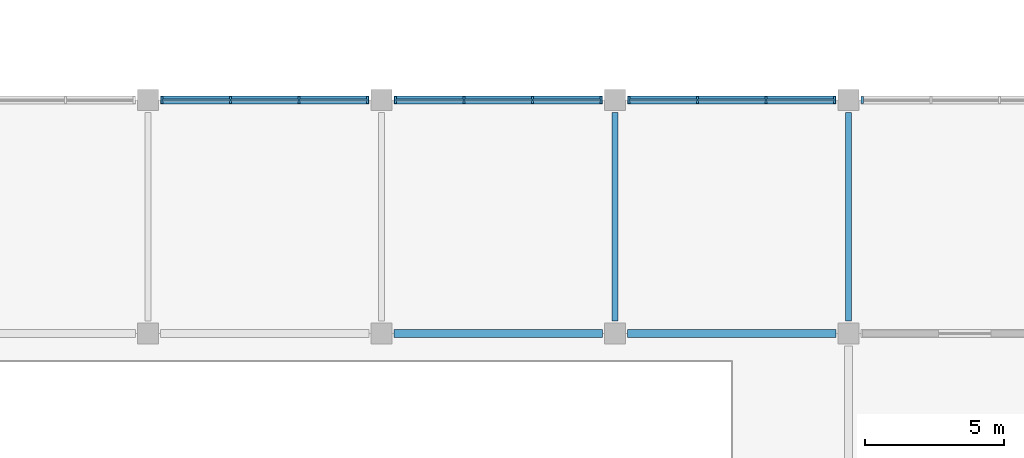
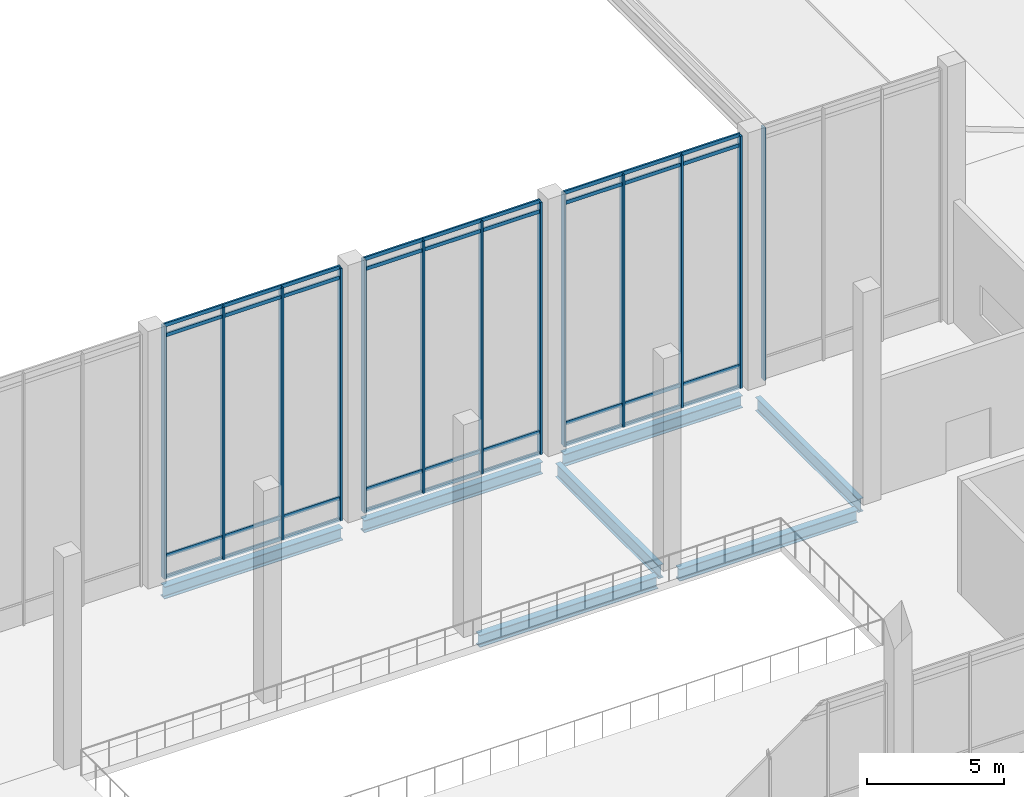
# One storey, part 18 of 72: 49 members, 7 beams, 4 elements without a shape of their own.
"""IFC4 building model written with IfcOpenShell, lengths in metres."""

from ifc_helpers import new_model, si_unit, direction, frame, origin, origin_2d, place, context, subcontext, project, spatial, rectangle, i_section, extrude, material, layer, layer_set, material_profile, profile_set, type_object, element, aggregate, save


model = new_model("IFC4")

# Units and contexts
model_context = context("Model", 3, precision=1e-05, world=origin(), true_north=direction((0.0, 1.0)))
body_context = subcontext(model_context, "Body", "Model", "MODEL_VIEW")
ifc_project = project(units=[si_unit("LENGTHUNIT", "METRE"), si_unit("AREAUNIT", "SQUARE_METRE"), si_unit("VOLUMEUNIT", "CUBIC_METRE"), si_unit("PLANEANGLEUNIT", "RADIAN"), si_unit("MASSUNIT", "GRAM", prefix="KILO")], contexts=[model_context])

# Site, building, storey
site_placement = place(None, origin())
site = spatial("IfcSite", under=ifc_project, at=site_placement, CompositionType="ELEMENT")
building_placement = place(site_placement, origin())
building = spatial("IfcBuilding", under=site, at=building_placement, Name="Qawsi Khor Wholesale Market", CompositionType="ELEMENT")
storey_placement = place(building_placement, frame((0.0, 0.0, 6.0)))
storey = spatial("IfcBuildingStorey", under=building, at=storey_placement, Name="L01", CompositionType="ELEMENT", Elevation=6.0)

# Curtain wall, members
ifc_material_1 = material(Name="Aluminium Anodised Bronze", Category="aluminium")
ifc_layer = layer(ifc_material_1, 0.219970703125, Name="Aluminium Anodised Bronze")
ifc_layer_set = layer_set([ifc_layer], Name="Aluminium Anodised Bronze")
curtain_wall_type = type_object("IfcCurtainWallType", Name="Auction Clerestory Curtain Wall CW-04", PredefinedType="NOTDEFINED", material=ifc_layer_set)
curtain_wall_1_placement = place(storey_placement, origin())
curtain_wall_1 = element("IfcCurtainWall", 1, at=curtain_wall_1_placement, inside=storey, type_object=curtain_wall_type, Name="Curtain wall CW-CW-04-L01-107", PredefinedType="NOTDEFINED")
ifc_material_profile_1 = material_profile(ifc_material_1, rectangle(XDim=0.080078125, YDim=0.239990234375, at=origin_2d()), Name="ALU MULLION 80x240")
ifc_profile_set_1 = profile_set([ifc_material_profile_1], Name="Aluminium Anodised Bronze")
member_type_1 = type_object("IfcMemberType", Name="Curtain Wall Mullion CW-04 ALU MULLION 80x240", PredefinedType="MULLION", material=ifc_profile_set_1)
member_1_placement = place(storey_placement, frame((101.300048828125, 117.60009765625, -0.02001953125), z_axis=(0.0, 0.0, 1.0), x_axis=(1.0, 0.0, 0.0)))
member_1 = element("IfcMember", 2, at=member_1_placement, type_object=member_type_1, Name="Mullion CW-CW-04-L01-107-M00", PredefinedType="MULLION", context=body_context, shape_type="SweptSolid", body=[
    extrude(rectangle(XDim=0.080078125, YDim=0.239990234375, at=origin_2d()), origin(), (0.0, 0.0, 1.0), 11.219970703125),
])
member_2_placement = place(storey_placement, frame((103.7666015625, 117.60009765625, -0.02001953125), z_axis=(0.0, 0.0, 1.0), x_axis=(1.0, 0.0, 0.0)))
member_2 = element("IfcMember", 3, at=member_2_placement, type_object=member_type_1, Name="Mullion CW-CW-04-L01-107-M01", PredefinedType="MULLION", context=body_context, shape_type="SweptSolid", body=[
    extrude(rectangle(XDim=0.080078125, YDim=0.239990234375, at=origin_2d()), origin(), (0.0, 0.0, 1.0), 11.219970703125),
])
member_3_placement = place(storey_placement, frame((106.2333984375, 117.60009765625, -0.02001953125), z_axis=(0.0, 0.0, 1.0), x_axis=(1.0, 0.0, 0.0)))
member_3 = element("IfcMember", 4, at=member_3_placement, type_object=member_type_1, Name="Mullion CW-CW-04-L01-107-M02", PredefinedType="MULLION", context=body_context, shape_type="SweptSolid", body=[
    extrude(rectangle(XDim=0.080078125, YDim=0.239990234375, at=origin_2d()), origin(), (0.0, 0.0, 1.0), 11.219970703125),
])
member_4_placement = place(storey_placement, frame((108.699951171875, 117.60009765625, -0.02001953125), z_axis=(0.0, 0.0, 1.0), x_axis=(1.0, 0.0, 0.0)))
member_4 = element("IfcMember", 5, at=member_4_placement, type_object=member_type_1, Name="Mullion CW-CW-04-L01-107-M03", PredefinedType="MULLION", context=body_context, shape_type="SweptSolid", body=[
    extrude(rectangle(XDim=0.080078125, YDim=0.239990234375, at=origin_2d()), origin(), (0.0, 0.0, 1.0), 11.219970703125),
])

curtain_wall_2_placement = place(storey_placement, origin())
curtain_wall_2 = element("IfcCurtainWall", 6, at=curtain_wall_2_placement, inside=storey, type_object=curtain_wall_type, Name="Curtain wall CW-CW-04-L01-110", PredefinedType="NOTDEFINED")
member_5_placement = place(storey_placement, frame((109.699951171875, 117.60009765625, -0.02001953125), z_axis=(0.0, 0.0, 1.0), x_axis=(1.0, 0.0, 0.0)))
member_5 = element("IfcMember", 7, at=member_5_placement, type_object=member_type_1, Name="Mullion CW-CW-04-L01-110-M00", PredefinedType="MULLION", context=body_context, shape_type="SweptSolid", body=[
    extrude(rectangle(XDim=0.080078125, YDim=0.239990234375, at=origin_2d()), origin(), (0.0, 0.0, 1.0), 11.219970703125),
])
member_6_placement = place(storey_placement, frame((112.166748046875, 117.60009765625, -0.02001953125), z_axis=(0.0, 0.0, 1.0), x_axis=(1.0, 0.0, 0.0)))
member_6 = element("IfcMember", 8, at=member_6_placement, type_object=member_type_1, Name="Mullion CW-CW-04-L01-110-M01", PredefinedType="MULLION", context=body_context, shape_type="SweptSolid", body=[
    extrude(rectangle(XDim=0.080078125, YDim=0.239990234375, at=origin_2d()), origin(), (0.0, 0.0, 1.0), 11.219970703125),
])
member_7_placement = place(storey_placement, frame((114.63330078125, 117.60009765625, -0.02001953125), z_axis=(0.0, 0.0, 1.0), x_axis=(1.0, 0.0, 0.0)))
member_7 = element("IfcMember", 9, at=member_7_placement, type_object=member_type_1, Name="Mullion CW-CW-04-L01-110-M02", PredefinedType="MULLION", context=body_context, shape_type="SweptSolid", body=[
    extrude(rectangle(XDim=0.080078125, YDim=0.239990234375, at=origin_2d()), origin(), (0.0, 0.0, 1.0), 11.219970703125),
])
member_8_placement = place(storey_placement, frame((117.10009765625, 117.60009765625, -0.02001953125), z_axis=(0.0, 0.0, 1.0), x_axis=(1.0, 0.0, 0.0)))
member_8 = element("IfcMember", 10, at=member_8_placement, type_object=member_type_1, Name="Mullion CW-CW-04-L01-110-M03", PredefinedType="MULLION", context=body_context, shape_type="SweptSolid", body=[
    extrude(rectangle(XDim=0.080078125, YDim=0.239990234375, at=origin_2d()), origin(), (0.0, 0.0, 1.0), 11.219970703125),
])

curtain_wall_3_placement = place(storey_placement, origin())
curtain_wall_3 = element("IfcCurtainWall", 11, at=curtain_wall_3_placement, inside=storey, type_object=curtain_wall_type, Name="Curtain wall CW-CW-04-L01-113", PredefinedType="NOTDEFINED")
member_9_placement = place(storey_placement, frame((118.10009765625, 117.60009765625, -0.02001953125), z_axis=(0.0, 0.0, 1.0), x_axis=(1.0, 0.0, 0.0)))
member_9 = element("IfcMember", 12, at=member_9_placement, type_object=member_type_1, Name="Mullion CW-CW-04-L01-113-M00", PredefinedType="MULLION", context=body_context, shape_type="SweptSolid", body=[
    extrude(rectangle(XDim=0.080078125, YDim=0.239990234375, at=origin_2d()), origin(), (0.0, 0.0, 1.0), 11.219970703125),
])
member_10_placement = place(storey_placement, frame((120.566650390625, 117.60009765625, -0.02001953125), z_axis=(0.0, 0.0, 1.0), x_axis=(1.0, 0.0, 0.0)))
member_10 = element("IfcMember", 13, at=member_10_placement, type_object=member_type_1, Name="Mullion CW-CW-04-L01-113-M01", PredefinedType="MULLION", context=body_context, shape_type="SweptSolid", body=[
    extrude(rectangle(XDim=0.080078125, YDim=0.239990234375, at=origin_2d()), origin(), (0.0, 0.0, 1.0), 11.219970703125),
])
member_11_placement = place(storey_placement, frame((123.033203125, 117.60009765625, -0.02001953125), z_axis=(0.0, 0.0, 1.0), x_axis=(1.0, 0.0, 0.0)))
member_11 = element("IfcMember", 14, at=member_11_placement, type_object=member_type_1, Name="Mullion CW-CW-04-L01-113-M02", PredefinedType="MULLION", context=body_context, shape_type="SweptSolid", body=[
    extrude(rectangle(XDim=0.080078125, YDim=0.239990234375, at=origin_2d()), origin(), (0.0, 0.0, 1.0), 11.219970703125),
])
member_12_placement = place(storey_placement, frame((125.5, 117.60009765625, -0.02001953125), z_axis=(0.0, 0.0, 1.0), x_axis=(1.0, 0.0, 0.0)))
member_12 = element("IfcMember", 15, at=member_12_placement, type_object=member_type_1, Name="Mullion CW-CW-04-L01-113-M03", PredefinedType="MULLION", context=body_context, shape_type="SweptSolid", body=[
    extrude(rectangle(XDim=0.080078125, YDim=0.239990234375, at=origin_2d()), origin(), (0.0, 0.0, 1.0), 11.219970703125),
])

# Curtain wall, member
curtain_wall_4_placement = place(storey_placement, origin())
curtain_wall_4 = element("IfcCurtainWall", 16, at=curtain_wall_4_placement, inside=storey, type_object=curtain_wall_type, Name="Curtain wall CW-CW-04-L01-114", PredefinedType="NOTDEFINED")
member_13_placement = place(storey_placement, frame((126.5, 117.60009765625, -0.02001953125), z_axis=(0.0, 0.0, 1.0), x_axis=(1.0, 0.0, 0.0)))
member_13 = element("IfcMember", 17, at=member_13_placement, type_object=member_type_1, Name="Mullion CW-CW-04-L01-114-M00", PredefinedType="MULLION", context=body_context, shape_type="SweptSolid", body=[
    extrude(rectangle(XDim=0.080078125, YDim=0.239990234375, at=origin_2d()), origin(), (0.0, 0.0, 1.0), 11.219970703125),
])
aggregate(curtain_wall_4, [member_13])

# Member
ifc_material_profile_2 = material_profile(ifc_material_1, rectangle(XDim=0.074951171875, YDim=0.159912109375, at=origin_2d()), Name="ALU TRANSOM 75x160")
ifc_profile_set_2 = profile_set([ifc_material_profile_2], Name="Aluminium Anodised Bronze")
member_type_2 = type_object("IfcMemberType", Name="Curtain Wall Transom CW-04 ALU TRANSOM 75x160", PredefinedType="USERDEFINED", material=ifc_profile_set_2)
member_14_placement = place(storey_placement, frame((101.300048828125, 117.60009765625, 0.0), z_axis=(1.0, 0.0, 0.0), x_axis=(0.0, 1.0, 0.0)))
member_14 = element("IfcMember", 18, at=member_14_placement, type_object=member_type_2, Name="Transom CW-CW-04-L01-107-T0_00", ObjectType="TRANSOM", PredefinedType="USERDEFINED", context=body_context, shape_type="SweptSolid", body=[
    extrude(rectangle(XDim=0.074951171875, YDim=0.159912109375, at=origin_2d()), origin(), (0.0, 0.0, 1.0), 2.466552734375),
])

member_15_placement = place(storey_placement, frame((103.7666015625, 117.60009765625, 0.0), z_axis=(1.0, 0.0, 0.0), x_axis=(0.0, 1.0, 0.0)))
member_15 = element("IfcMember", 19, at=member_15_placement, type_object=member_type_2, Name="Transom CW-CW-04-L01-107-T0_01", ObjectType="TRANSOM", PredefinedType="USERDEFINED", context=body_context, shape_type="SweptSolid", body=[
    extrude(rectangle(XDim=0.074951171875, YDim=0.159912109375, at=origin_2d()), origin(), (0.0, 0.0, 1.0), 2.466796875),
])

member_16_placement = place(storey_placement, frame((106.2333984375, 117.60009765625, 0.0), z_axis=(1.0, 0.0, 0.0), x_axis=(0.0, 1.0, 0.0)))
member_16 = element("IfcMember", 20, at=member_16_placement, type_object=member_type_2, Name="Transom CW-CW-04-L01-107-T0_02", ObjectType="TRANSOM", PredefinedType="USERDEFINED", context=body_context, shape_type="SweptSolid", body=[
    extrude(rectangle(XDim=0.074951171875, YDim=0.159912109375, at=origin_2d()), origin(), (0.0, 0.0, 1.0), 2.466552734375),
])

member_17_placement = place(storey_placement, frame((101.300048828125, 117.60009765625, 0.949951171875), z_axis=(1.0, 0.0, 0.0), x_axis=(0.0, 1.0, 0.0)))
member_17 = element("IfcMember", 21, at=member_17_placement, type_object=member_type_2, Name="Transom CW-CW-04-L01-107-T1_00", ObjectType="TRANSOM", PredefinedType="USERDEFINED", context=body_context, shape_type="SweptSolid", body=[
    extrude(rectangle(XDim=0.074951171875, YDim=0.159912109375, at=origin_2d()), origin(), (0.0, 0.0, 1.0), 2.466552734375),
])

member_18_placement = place(storey_placement, frame((103.7666015625, 117.60009765625, 0.949951171875), z_axis=(1.0, 0.0, 0.0), x_axis=(0.0, 1.0, 0.0)))
member_18 = element("IfcMember", 22, at=member_18_placement, type_object=member_type_2, Name="Transom CW-CW-04-L01-107-T1_01", ObjectType="TRANSOM", PredefinedType="USERDEFINED", context=body_context, shape_type="SweptSolid", body=[
    extrude(rectangle(XDim=0.074951171875, YDim=0.159912109375, at=origin_2d()), origin(), (0.0, 0.0, 1.0), 2.466796875),
])

member_19_placement = place(storey_placement, frame((106.2333984375, 117.60009765625, 0.949951171875), z_axis=(1.0, 0.0, 0.0), x_axis=(0.0, 1.0, 0.0)))
member_19 = element("IfcMember", 23, at=member_19_placement, type_object=member_type_2, Name="Transom CW-CW-04-L01-107-T1_02", ObjectType="TRANSOM", PredefinedType="USERDEFINED", context=body_context, shape_type="SweptSolid", body=[
    extrude(rectangle(XDim=0.074951171875, YDim=0.159912109375, at=origin_2d()), origin(), (0.0, 0.0, 1.0), 2.466552734375),
])

member_20_placement = place(storey_placement, frame((101.300048828125, 117.60009765625, 10.75), z_axis=(1.0, 0.0, 0.0), x_axis=(0.0, 1.0, 0.0)))
member_20 = element("IfcMember", 24, at=member_20_placement, type_object=member_type_2, Name="Transom CW-CW-04-L01-107-T2_00", ObjectType="TRANSOM", PredefinedType="USERDEFINED", context=body_context, shape_type="SweptSolid", body=[
    extrude(rectangle(XDim=0.074951171875, YDim=0.159912109375, at=origin_2d()), origin(), (0.0, 0.0, 1.0), 2.466552734375),
])

member_21_placement = place(storey_placement, frame((103.7666015625, 117.60009765625, 10.75), z_axis=(1.0, 0.0, 0.0), x_axis=(0.0, 1.0, 0.0)))
member_21 = element("IfcMember", 25, at=member_21_placement, type_object=member_type_2, Name="Transom CW-CW-04-L01-107-T2_01", ObjectType="TRANSOM", PredefinedType="USERDEFINED", context=body_context, shape_type="SweptSolid", body=[
    extrude(rectangle(XDim=0.074951171875, YDim=0.159912109375, at=origin_2d()), origin(), (0.0, 0.0, 1.0), 2.466796875),
])

member_22_placement = place(storey_placement, frame((106.2333984375, 117.60009765625, 10.75), z_axis=(1.0, 0.0, 0.0), x_axis=(0.0, 1.0, 0.0)))
member_22 = element("IfcMember", 26, at=member_22_placement, type_object=member_type_2, Name="Transom CW-CW-04-L01-107-T2_02", ObjectType="TRANSOM", PredefinedType="USERDEFINED", context=body_context, shape_type="SweptSolid", body=[
    extrude(rectangle(XDim=0.074951171875, YDim=0.159912109375, at=origin_2d()), origin(), (0.0, 0.0, 1.0), 2.466552734375),
])

member_23_placement = place(storey_placement, frame((101.300048828125, 117.60009765625, 11.199951171875), z_axis=(1.0, 0.0, 0.0), x_axis=(0.0, 1.0, 0.0)))
member_23 = element("IfcMember", 27, at=member_23_placement, type_object=member_type_2, Name="Transom CW-CW-04-L01-107-T3_00", ObjectType="TRANSOM", PredefinedType="USERDEFINED", context=body_context, shape_type="SweptSolid", body=[
    extrude(rectangle(XDim=0.074951171875, YDim=0.159912109375, at=origin_2d()), origin(), (0.0, 0.0, 1.0), 2.466552734375),
])

member_24_placement = place(storey_placement, frame((103.7666015625, 117.60009765625, 11.199951171875), z_axis=(1.0, 0.0, 0.0), x_axis=(0.0, 1.0, 0.0)))
member_24 = element("IfcMember", 28, at=member_24_placement, type_object=member_type_2, Name="Transom CW-CW-04-L01-107-T3_01", ObjectType="TRANSOM", PredefinedType="USERDEFINED", context=body_context, shape_type="SweptSolid", body=[
    extrude(rectangle(XDim=0.074951171875, YDim=0.159912109375, at=origin_2d()), origin(), (0.0, 0.0, 1.0), 2.466796875),
])

member_25_placement = place(storey_placement, frame((106.2333984375, 117.60009765625, 11.199951171875), z_axis=(1.0, 0.0, 0.0), x_axis=(0.0, 1.0, 0.0)))
member_25 = element("IfcMember", 29, at=member_25_placement, type_object=member_type_2, Name="Transom CW-CW-04-L01-107-T3_02", ObjectType="TRANSOM", PredefinedType="USERDEFINED", context=body_context, shape_type="SweptSolid", body=[
    extrude(rectangle(XDim=0.074951171875, YDim=0.159912109375, at=origin_2d()), origin(), (0.0, 0.0, 1.0), 2.466552734375),
])

aggregate(curtain_wall_1, [member_1, member_2, member_3, member_4, member_14, member_15, member_16, member_17, member_18, member_19, member_20, member_21, member_22, member_23, member_24, member_25])

member_26_placement = place(storey_placement, frame((109.699951171875, 117.60009765625, 0.0), z_axis=(1.0, 0.0, 0.0), x_axis=(0.0, 1.0, 0.0)))
member_26 = element("IfcMember", 30, at=member_26_placement, type_object=member_type_2, Name="Transom CW-CW-04-L01-110-T0_00", ObjectType="TRANSOM", PredefinedType="USERDEFINED", context=body_context, shape_type="SweptSolid", body=[
    extrude(rectangle(XDim=0.074951171875, YDim=0.159912109375, at=origin_2d()), origin(), (0.0, 0.0, 1.0), 2.466796875),
])

member_27_placement = place(storey_placement, frame((112.166748046875, 117.60009765625, 0.0), z_axis=(1.0, 0.0, 0.0), x_axis=(0.0, 1.0, 0.0)))
member_27 = element("IfcMember", 31, at=member_27_placement, type_object=member_type_2, Name="Transom CW-CW-04-L01-110-T0_01", ObjectType="TRANSOM", PredefinedType="USERDEFINED", context=body_context, shape_type="SweptSolid", body=[
    extrude(rectangle(XDim=0.074951171875, YDim=0.159912109375, at=origin_2d()), origin(), (0.0, 0.0, 1.0), 2.466552734375),
])

member_28_placement = place(storey_placement, frame((114.63330078125, 117.60009765625, 0.0), z_axis=(1.0, 0.0, 0.0), x_axis=(0.0, 1.0, 0.0)))
member_28 = element("IfcMember", 32, at=member_28_placement, type_object=member_type_2, Name="Transom CW-CW-04-L01-110-T0_02", ObjectType="TRANSOM", PredefinedType="USERDEFINED", context=body_context, shape_type="SweptSolid", body=[
    extrude(rectangle(XDim=0.074951171875, YDim=0.159912109375, at=origin_2d()), origin(), (0.0, 0.0, 1.0), 2.466796875),
])

member_29_placement = place(storey_placement, frame((109.699951171875, 117.60009765625, 0.949951171875), z_axis=(1.0, 0.0, 0.0), x_axis=(0.0, 1.0, 0.0)))
member_29 = element("IfcMember", 33, at=member_29_placement, type_object=member_type_2, Name="Transom CW-CW-04-L01-110-T1_00", ObjectType="TRANSOM", PredefinedType="USERDEFINED", context=body_context, shape_type="SweptSolid", body=[
    extrude(rectangle(XDim=0.074951171875, YDim=0.159912109375, at=origin_2d()), origin(), (0.0, 0.0, 1.0), 2.466796875),
])

member_30_placement = place(storey_placement, frame((112.166748046875, 117.60009765625, 0.949951171875), z_axis=(1.0, 0.0, 0.0), x_axis=(0.0, 1.0, 0.0)))
member_30 = element("IfcMember", 34, at=member_30_placement, type_object=member_type_2, Name="Transom CW-CW-04-L01-110-T1_01", ObjectType="TRANSOM", PredefinedType="USERDEFINED", context=body_context, shape_type="SweptSolid", body=[
    extrude(rectangle(XDim=0.074951171875, YDim=0.159912109375, at=origin_2d()), origin(), (0.0, 0.0, 1.0), 2.466552734375),
])

member_31_placement = place(storey_placement, frame((114.63330078125, 117.60009765625, 0.949951171875), z_axis=(1.0, 0.0, 0.0), x_axis=(0.0, 1.0, 0.0)))
member_31 = element("IfcMember", 35, at=member_31_placement, type_object=member_type_2, Name="Transom CW-CW-04-L01-110-T1_02", ObjectType="TRANSOM", PredefinedType="USERDEFINED", context=body_context, shape_type="SweptSolid", body=[
    extrude(rectangle(XDim=0.074951171875, YDim=0.159912109375, at=origin_2d()), origin(), (0.0, 0.0, 1.0), 2.466796875),
])

member_32_placement = place(storey_placement, frame((109.699951171875, 117.60009765625, 10.75), z_axis=(1.0, 0.0, 0.0), x_axis=(0.0, 1.0, 0.0)))
member_32 = element("IfcMember", 36, at=member_32_placement, type_object=member_type_2, Name="Transom CW-CW-04-L01-110-T2_00", ObjectType="TRANSOM", PredefinedType="USERDEFINED", context=body_context, shape_type="SweptSolid", body=[
    extrude(rectangle(XDim=0.074951171875, YDim=0.159912109375, at=origin_2d()), origin(), (0.0, 0.0, 1.0), 2.466796875),
])

member_33_placement = place(storey_placement, frame((112.166748046875, 117.60009765625, 10.75), z_axis=(1.0, 0.0, 0.0), x_axis=(0.0, 1.0, 0.0)))
member_33 = element("IfcMember", 37, at=member_33_placement, type_object=member_type_2, Name="Transom CW-CW-04-L01-110-T2_01", ObjectType="TRANSOM", PredefinedType="USERDEFINED", context=body_context, shape_type="SweptSolid", body=[
    extrude(rectangle(XDim=0.074951171875, YDim=0.159912109375, at=origin_2d()), origin(), (0.0, 0.0, 1.0), 2.466552734375),
])

member_34_placement = place(storey_placement, frame((114.63330078125, 117.60009765625, 10.75), z_axis=(1.0, 0.0, 0.0), x_axis=(0.0, 1.0, 0.0)))
member_34 = element("IfcMember", 38, at=member_34_placement, type_object=member_type_2, Name="Transom CW-CW-04-L01-110-T2_02", ObjectType="TRANSOM", PredefinedType="USERDEFINED", context=body_context, shape_type="SweptSolid", body=[
    extrude(rectangle(XDim=0.074951171875, YDim=0.159912109375, at=origin_2d()), origin(), (0.0, 0.0, 1.0), 2.466796875),
])

member_35_placement = place(storey_placement, frame((109.699951171875, 117.60009765625, 11.199951171875), z_axis=(1.0, 0.0, 0.0), x_axis=(0.0, 1.0, 0.0)))
member_35 = element("IfcMember", 39, at=member_35_placement, type_object=member_type_2, Name="Transom CW-CW-04-L01-110-T3_00", ObjectType="TRANSOM", PredefinedType="USERDEFINED", context=body_context, shape_type="SweptSolid", body=[
    extrude(rectangle(XDim=0.074951171875, YDim=0.159912109375, at=origin_2d()), origin(), (0.0, 0.0, 1.0), 2.466796875),
])

member_36_placement = place(storey_placement, frame((112.166748046875, 117.60009765625, 11.199951171875), z_axis=(1.0, 0.0, 0.0), x_axis=(0.0, 1.0, 0.0)))
member_36 = element("IfcMember", 40, at=member_36_placement, type_object=member_type_2, Name="Transom CW-CW-04-L01-110-T3_01", ObjectType="TRANSOM", PredefinedType="USERDEFINED", context=body_context, shape_type="SweptSolid", body=[
    extrude(rectangle(XDim=0.074951171875, YDim=0.159912109375, at=origin_2d()), origin(), (0.0, 0.0, 1.0), 2.466552734375),
])

member_37_placement = place(storey_placement, frame((114.63330078125, 117.60009765625, 11.199951171875), z_axis=(1.0, 0.0, 0.0), x_axis=(0.0, 1.0, 0.0)))
member_37 = element("IfcMember", 41, at=member_37_placement, type_object=member_type_2, Name="Transom CW-CW-04-L01-110-T3_02", ObjectType="TRANSOM", PredefinedType="USERDEFINED", context=body_context, shape_type="SweptSolid", body=[
    extrude(rectangle(XDim=0.074951171875, YDim=0.159912109375, at=origin_2d()), origin(), (0.0, 0.0, 1.0), 2.466796875),
])

aggregate(curtain_wall_2, [member_5, member_6, member_7, member_8, member_26, member_27, member_28, member_29, member_30, member_31, member_32, member_33, member_34, member_35, member_36, member_37])

member_38_placement = place(storey_placement, frame((118.10009765625, 117.60009765625, 0.0), z_axis=(1.0, 0.0, 0.0), x_axis=(0.0, 1.0, 0.0)))
member_38 = element("IfcMember", 42, at=member_38_placement, type_object=member_type_2, Name="Transom CW-CW-04-L01-113-T0_00", ObjectType="TRANSOM", PredefinedType="USERDEFINED", context=body_context, shape_type="SweptSolid", body=[
    extrude(rectangle(XDim=0.074951171875, YDim=0.159912109375, at=origin_2d()), origin(), (0.0, 0.0, 1.0), 2.466552734375),
])

member_39_placement = place(storey_placement, frame((120.566650390625, 117.60009765625, 0.0), z_axis=(1.0, 0.0, 0.0), x_axis=(0.0, 1.0, 0.0)))
member_39 = element("IfcMember", 43, at=member_39_placement, type_object=member_type_2, Name="Transom CW-CW-04-L01-113-T0_01", ObjectType="TRANSOM", PredefinedType="USERDEFINED", context=body_context, shape_type="SweptSolid", body=[
    extrude(rectangle(XDim=0.074951171875, YDim=0.159912109375, at=origin_2d()), origin(), (0.0, 0.0, 1.0), 2.466552734375),
])

member_40_placement = place(storey_placement, frame((123.033203125, 117.60009765625, 0.0), z_axis=(1.0, 0.0, 0.0), x_axis=(0.0, 1.0, 0.0)))
member_40 = element("IfcMember", 44, at=member_40_placement, type_object=member_type_2, Name="Transom CW-CW-04-L01-113-T0_02", ObjectType="TRANSOM", PredefinedType="USERDEFINED", context=body_context, shape_type="SweptSolid", body=[
    extrude(rectangle(XDim=0.074951171875, YDim=0.159912109375, at=origin_2d()), origin(), (0.0, 0.0, 1.0), 2.466796875),
])

member_41_placement = place(storey_placement, frame((118.10009765625, 117.60009765625, 0.949951171875), z_axis=(1.0, 0.0, 0.0), x_axis=(0.0, 1.0, 0.0)))
member_41 = element("IfcMember", 45, at=member_41_placement, type_object=member_type_2, Name="Transom CW-CW-04-L01-113-T1_00", ObjectType="TRANSOM", PredefinedType="USERDEFINED", context=body_context, shape_type="SweptSolid", body=[
    extrude(rectangle(XDim=0.074951171875, YDim=0.159912109375, at=origin_2d()), origin(), (0.0, 0.0, 1.0), 2.466552734375),
])

member_42_placement = place(storey_placement, frame((120.566650390625, 117.60009765625, 0.949951171875), z_axis=(1.0, 0.0, 0.0), x_axis=(0.0, 1.0, 0.0)))
member_42 = element("IfcMember", 46, at=member_42_placement, type_object=member_type_2, Name="Transom CW-CW-04-L01-113-T1_01", ObjectType="TRANSOM", PredefinedType="USERDEFINED", context=body_context, shape_type="SweptSolid", body=[
    extrude(rectangle(XDim=0.074951171875, YDim=0.159912109375, at=origin_2d()), origin(), (0.0, 0.0, 1.0), 2.466552734375),
])

member_43_placement = place(storey_placement, frame((123.033203125, 117.60009765625, 0.949951171875), z_axis=(1.0, 0.0, 0.0), x_axis=(0.0, 1.0, 0.0)))
member_43 = element("IfcMember", 47, at=member_43_placement, type_object=member_type_2, Name="Transom CW-CW-04-L01-113-T1_02", ObjectType="TRANSOM", PredefinedType="USERDEFINED", context=body_context, shape_type="SweptSolid", body=[
    extrude(rectangle(XDim=0.074951171875, YDim=0.159912109375, at=origin_2d()), origin(), (0.0, 0.0, 1.0), 2.466796875),
])

member_44_placement = place(storey_placement, frame((118.10009765625, 117.60009765625, 10.75), z_axis=(1.0, 0.0, 0.0), x_axis=(0.0, 1.0, 0.0)))
member_44 = element("IfcMember", 48, at=member_44_placement, type_object=member_type_2, Name="Transom CW-CW-04-L01-113-T2_00", ObjectType="TRANSOM", PredefinedType="USERDEFINED", context=body_context, shape_type="SweptSolid", body=[
    extrude(rectangle(XDim=0.074951171875, YDim=0.159912109375, at=origin_2d()), origin(), (0.0, 0.0, 1.0), 2.466552734375),
])

member_45_placement = place(storey_placement, frame((120.566650390625, 117.60009765625, 10.75), z_axis=(1.0, 0.0, 0.0), x_axis=(0.0, 1.0, 0.0)))
member_45 = element("IfcMember", 49, at=member_45_placement, type_object=member_type_2, Name="Transom CW-CW-04-L01-113-T2_01", ObjectType="TRANSOM", PredefinedType="USERDEFINED", context=body_context, shape_type="SweptSolid", body=[
    extrude(rectangle(XDim=0.074951171875, YDim=0.159912109375, at=origin_2d()), origin(), (0.0, 0.0, 1.0), 2.466552734375),
])

member_46_placement = place(storey_placement, frame((123.033203125, 117.60009765625, 10.75), z_axis=(1.0, 0.0, 0.0), x_axis=(0.0, 1.0, 0.0)))
member_46 = element("IfcMember", 50, at=member_46_placement, type_object=member_type_2, Name="Transom CW-CW-04-L01-113-T2_02", ObjectType="TRANSOM", PredefinedType="USERDEFINED", context=body_context, shape_type="SweptSolid", body=[
    extrude(rectangle(XDim=0.074951171875, YDim=0.159912109375, at=origin_2d()), origin(), (0.0, 0.0, 1.0), 2.466796875),
])

member_47_placement = place(storey_placement, frame((118.10009765625, 117.60009765625, 11.199951171875), z_axis=(1.0, 0.0, 0.0), x_axis=(0.0, 1.0, 0.0)))
member_47 = element("IfcMember", 51, at=member_47_placement, type_object=member_type_2, Name="Transom CW-CW-04-L01-113-T3_00", ObjectType="TRANSOM", PredefinedType="USERDEFINED", context=body_context, shape_type="SweptSolid", body=[
    extrude(rectangle(XDim=0.074951171875, YDim=0.159912109375, at=origin_2d()), origin(), (0.0, 0.0, 1.0), 2.466552734375),
])

member_48_placement = place(storey_placement, frame((120.566650390625, 117.60009765625, 11.199951171875), z_axis=(1.0, 0.0, 0.0), x_axis=(0.0, 1.0, 0.0)))
member_48 = element("IfcMember", 52, at=member_48_placement, type_object=member_type_2, Name="Transom CW-CW-04-L01-113-T3_01", ObjectType="TRANSOM", PredefinedType="USERDEFINED", context=body_context, shape_type="SweptSolid", body=[
    extrude(rectangle(XDim=0.074951171875, YDim=0.159912109375, at=origin_2d()), origin(), (0.0, 0.0, 1.0), 2.466552734375),
])

member_49_placement = place(storey_placement, frame((123.033203125, 117.60009765625, 11.199951171875), z_axis=(1.0, 0.0, 0.0), x_axis=(0.0, 1.0, 0.0)))
member_49 = element("IfcMember", 53, at=member_49_placement, type_object=member_type_2, Name="Transom CW-CW-04-L01-113-T3_02", ObjectType="TRANSOM", PredefinedType="USERDEFINED", context=body_context, shape_type="SweptSolid", body=[
    extrude(rectangle(XDim=0.074951171875, YDim=0.159912109375, at=origin_2d()), origin(), (0.0, 0.0, 1.0), 2.466796875),
])

aggregate(curtain_wall_3, [member_9, member_10, member_11, member_12, member_38, member_39, member_40, member_41, member_42, member_43, member_44, member_45, member_46, member_47, member_48, member_49])

# Beams
ifc_material_2 = material(Name="Steel S355", Category="steel")
ifc_material_profile_3 = material_profile(ifc_material_2, i_section(OverallWidth=0.300048828125, OverallDepth=0.5400390625, WebThickness=0.012451171875, FlangeThickness=0.02392578125, FilletRadius=0.027099609375, at=origin_2d()), Name="HEA 550")
ifc_profile_set_3 = profile_set([ifc_material_profile_3], Name="Steel S355")
beam_type_1 = type_object("IfcBeamType", Name="Primary Girder HEA 550", PredefinedType="BEAM", material=ifc_profile_set_3)
for number, where, z_axis, x_axis, name in (
    (54, (101.25, 117.60009765625, -0.60009765625), (1.0, 0.0, 0.0), (0.0, 1.0, 0.0), "BM-X-L01-12_+14"),
    (55, (109.64990234375, 109.199951171875, -0.60009765625), (1.0, 0.0, 0.0), (0.0, 1.0, 0.0), "BM-X-L01-13_+13"),
    (56, (109.64990234375, 117.60009765625, -0.60009765625), (1.0, 0.0, 0.0), (0.0, 1.0, 0.0), "BM-X-L01-13_+14"),
    (57, (118.050048828125, 109.199951171875, -0.60009765625), (1.0, 0.0, 0.0), (0.0, 1.0, 0.0), "BM-X-L01-14_+13"),
    (58, (118.050048828125, 117.60009765625, -0.60009765625), (1.0, 0.0, 0.0), (0.0, 1.0, 0.0), "BM-X-L01-14_+14"),
):
    element("IfcBeam", number, at=place(storey_placement, frame(where, z_axis=z_axis, x_axis=x_axis)), inside=storey, type_object=beam_type_1, Name=name, PredefinedType="BEAM", context=body_context, shape_type="SweptSolid", body=[
        extrude(i_section(OverallWidth=0.300048828125, OverallDepth=0.5400390625, WebThickness=0.012451171875, FlangeThickness=0.02392578125, FilletRadius=0.027099609375, at=origin_2d()), origin(), (0.0, 0.0, 1.0), 7.5),
    ])
ifc_material_profile_4 = material_profile(ifc_material_2, i_section(OverallWidth=0.219970703125, OverallDepth=0.60009765625, WebThickness=0.011962890625, FlangeThickness=0.01904296875, FilletRadius=0.02392578125, at=origin_2d()), Name="IPE 600")
ifc_profile_set_4 = profile_set([ifc_material_profile_4], Name="Steel S355")
beam_type_2 = type_object("IfcBeamType", Name="Secondary Beam IPE 600", PredefinedType="BEAM", material=ifc_profile_set_4)
for number, where, z_axis, x_axis, name in (
    (59, (117.60009765625, 109.64990234375, -0.6298828125), (0.0, 1.0, 0.0), (-1.0, 0.0, 0.0), "BM-Y-L01-14_+13"),
    (60, (126.0, 109.64990234375, -0.6298828125), (0.0, 1.0, 0.0), (-1.0, 0.0, 0.0), "BM-Y-L01-15_+13"),
):
    element("IfcBeam", number, at=place(storey_placement, frame(where, z_axis=z_axis, x_axis=x_axis)), inside=storey, type_object=beam_type_2, Name=name, PredefinedType="BEAM", context=body_context, shape_type="SweptSolid", body=[
        extrude(i_section(OverallWidth=0.219970703125, OverallDepth=0.60009765625, WebThickness=0.011962890625, FlangeThickness=0.01904296875, FilletRadius=0.02392578125, at=origin_2d()), origin(), (0.0, 0.0, 1.0), 7.5),
    ])

save(model, "model.ifc")
